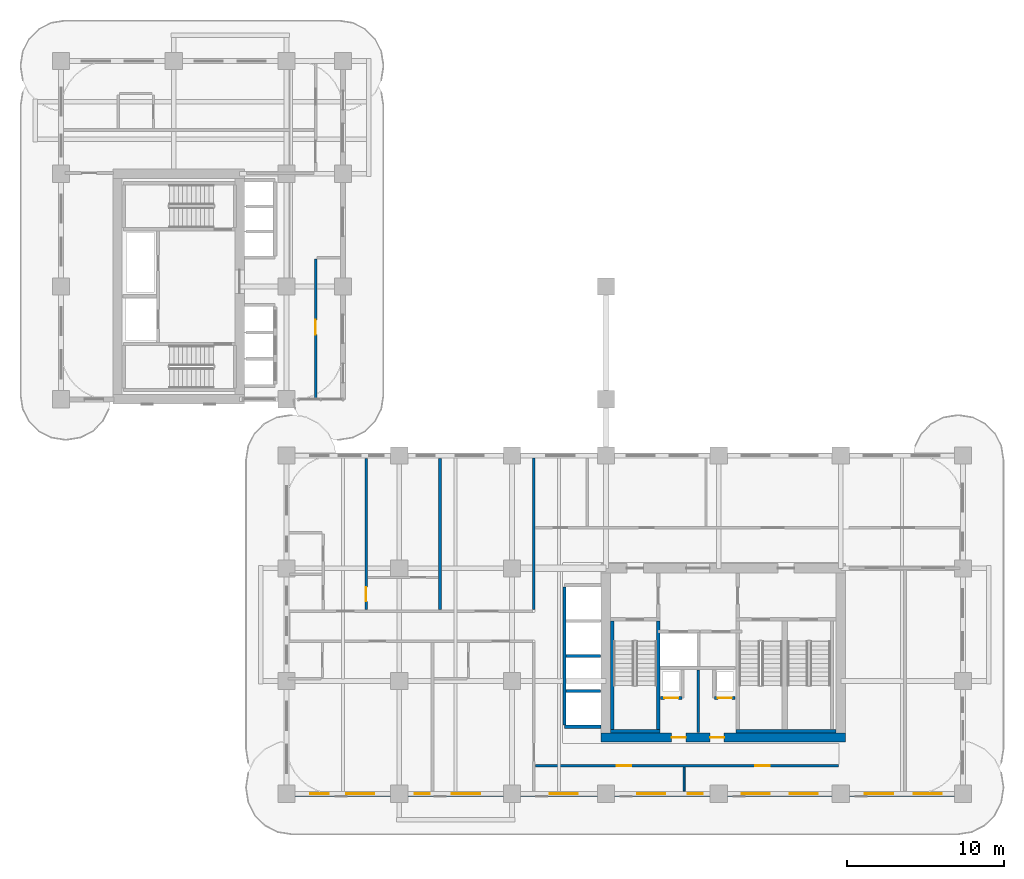
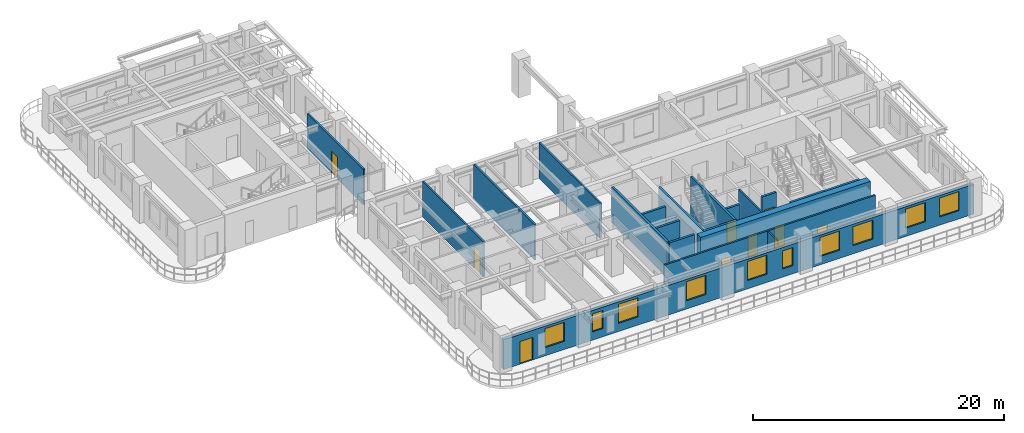
# One storey, part 8 of 19: 19 walls, 10 windows, 9 doors, 19 openings.
"""IFC4 building model written with IfcOpenShell, lengths in metres."""

from ifc_helpers import new_model, si_unit, derived_unit, direction, frame, frame_2d, origin, place, context, subcontext, project, spatial, rectangle, extrude, source, transform, mapped, material, layer, layer_set, type_object, type_shapes, element, fill, save


model = new_model("IFC4")

# Units and contexts
model_context = context("Model", 3, precision=1e-05, world=origin(), true_north=direction((0.0, 1.0)))
body_context = subcontext(model_context, "Body", "Model", "MODEL_VIEW")
ifc_project = project(units=[si_unit("LENGTHUNIT", "METRE"), si_unit("AREAUNIT", "SQUARE_METRE"), si_unit("VOLUMEUNIT", "CUBIC_METRE"), si_unit("PLANEANGLEUNIT", "RADIAN"), si_unit("MASSUNIT", "GRAM", prefix="KILO"), si_unit("THERMODYNAMICTEMPERATUREUNIT", "KELVIN"), si_unit("POWERUNIT", "WATT"), derived_unit("THERMALTRANSMITTANCEUNIT", [(si_unit("POWERUNIT", "WATT"), 1), (si_unit("AREAUNIT", "SQUARE_METRE"), -1), (si_unit("THERMODYNAMICTEMPERATUREUNIT", "KELVIN"), -1)])], contexts=[model_context])

# Site, building, storey
site_placement = place(None, origin())
site = spatial("IfcSite", under=ifc_project, at=site_placement, CompositionType="ELEMENT")
building_placement = place(site_placement, origin())
building = spatial("IfcBuilding", under=site, at=building_placement, Name="Zahravan Archway Hotel and Residences", CompositionType="ELEMENT")
storey_placement = place(building_placement, frame((0.0, 0.0, 47.199951171875)))
storey = spatial("IfcBuildingStorey", under=building, at=storey_placement, Name="L10", CompositionType="ELEMENT", Elevation=47.199951171875)

# Wall, openings, doors
ifc_material_1 = material(Name="Concrete C70/85", Category="concrete")
ifc_layer_1 = layer(ifc_material_1, 0.60009765625, Name="Concrete C70/85", Category="concrete")
ifc_layer_set_1 = layer_set([ifc_layer_1], Name="Concrete C70/85")
wall_type_1 = type_object("IfcWallType", Name="CW-CORE-600", PredefinedType="SHEAR", material=ifc_layer_set_1)
wall_1_placement = place(storey_placement, frame((34.5, 3.60009765625, 0.0), z_axis=(0.0, 0.0, 1.0), x_axis=(1.0, 0.0, 0.0)))
wall_1 = element("IfcWall", 1, at=wall_1_placement, inside=storey, type_object=wall_type_1, Name="L10 Core A Shear S Wall 600 mm", PredefinedType="SHEAR", context=body_context, shape_type="SweptSolid", body=[
    extrude(rectangle(XDim=15.60009765625, YDim=0.60009765625, at=frame_2d((7.800048828125, 0.0))), origin(), (0.0, 0.0, 1.0), 3.699951171875),
])
opening_1_placement = place(wall_1_placement, frame((4.5, 0.0, 0.0)))
opening_1 = element("IfcOpeningElement", 2, at=opening_1_placement, cuts=wall_1, Name="Opening FD-R1", PredefinedType="OPENING", context=body_context, shape_type="SweptSolid", body=[
    extrude(rectangle(XDim=0.89990234375, YDim=2.10009765625, at=frame_2d((0.449951171875, 1.050048828125))), frame((0.0, 0.31005859375, 0.0), z_axis=(0.0, -1.0, 0.0), x_axis=(1.0, 0.0, 0.0)), (0.0, 0.0, 1.0), 0.6201171875),
])
opening_2_placement = place(wall_1_placement, frame((6.949951171875, 0.0, 0.0)))
opening_2 = element("IfcOpeningElement", 3, at=opening_2_placement, cuts=wall_1, Name="Opening FD-R1", PredefinedType="OPENING", context=body_context, shape_type="SweptSolid", body=[
    extrude(rectangle(XDim=0.89990234375, YDim=2.10009765625, at=frame_2d((0.449951171875, 1.050048828125))), frame((0.0, 0.31005859375, 0.0), z_axis=(0.0, -1.0, 0.0), x_axis=(1.0, 0.0, 0.0)), (0.0, 0.0, 1.0), 0.6201171875),
])
ifc_material_2 = material(Name="Fire-Rated Painted Steel", Category="steel")
door_type_1 = type_object("IfcDoorType", Name="FD-RISER-900", OperationType="NOTDEFINED", PredefinedType="DOOR", material=ifc_material_2)
shared_shape_1 = source(origin(), body_context, "Body", "SweptSolid", [
    extrude(rectangle(XDim=0.89990234375, YDim=2.10009765625, at=frame_2d((0.449951171875, 1.050048828125))), frame((0.0, 0.02490234375, 0.0), z_axis=(0.0, -1.0, 0.0), x_axis=(1.0, 0.0, 0.0)), (0.0, 0.0, 1.0), 0.050048828125),
])
type_shapes(door_type_1, [shared_shape_1])
door_1_placement = place(opening_1_placement, origin())
door_1 = element("IfcDoor", 4, at=door_1_placement, inside=storey, type_object=door_type_1, Name="L10 Electrical Switchgear Door", OperationType="SINGLE_SWING_RIGHT", OverallHeight=2.10009765625, OverallWidth=0.89990234375, PredefinedType="DOOR", context=body_context, shape_type="MappedRepresentation", body=[
    mapped(shared_shape_1, transform((0.0, 0.0, 0.0), scale=1.0)),
])
fill(opening_1, door_1)
door_2_placement = place(opening_2_placement, origin())
door_2 = element("IfcDoor", 5, at=door_2_placement, inside=storey, type_object=door_type_1, Name="L10 Telecom BMS Door", OperationType="SINGLE_SWING_LEFT", OverallHeight=2.10009765625, OverallWidth=0.89990234375, PredefinedType="DOOR", context=body_context, shape_type="MappedRepresentation", body=[
    mapped(shared_shape_1, transform((0.0, 0.0, 0.0), scale=1.0)),
])
fill(opening_2, door_2)

# Wall, openings, door, windows
ifc_material_3 = material(Name="Agra Buff Sandstone & Insulated Backup", Category="masonry")
ifc_layer_2 = layer(ifc_material_3, 0.320068359375, Name="Agra Buff Sandstone & Insulated Backup", Category="masonry")
ifc_layer_set_2 = layer_set([ifc_layer_2], Name="Agra Buff Sandstone & Insulated Backup")
wall_type_2 = type_object("IfcWallType", Name="EW-SAND-320", PredefinedType="SOLIDWALL", material=ifc_layer_set_2)
wall_2_placement = place(storey_placement, frame((14.39990234375, 0.0, 0.0), z_axis=(0.0, 0.0, 1.0), x_axis=(1.0, 0.0, 0.0)))
wall_2 = element("IfcWall", 6, at=wall_2_placement, inside=storey, type_object=wall_type_2, Name="L10 Exterior Sandstone Wall WA-S", PredefinedType="SOLIDWALL", context=body_context, shape_type="SweptSolid", body=[
    extrude(rectangle(XDim=43.2001953125, YDim=0.320068359375, at=frame_2d((21.60009765625, 0.0))), origin(), (0.0, 0.0, 1.0), 2.885009765625),
])
opening_3_placement = place(wall_2_placement, frame((1.5, 0.0, 0.0)))
opening_3 = element("IfcOpeningElement", 7, at=opening_3_placement, cuts=wall_2, Name="Opening ED-BL1", PredefinedType="OPENING", context=body_context, shape_type="SweptSolid", body=[
    extrude(rectangle(XDim=1.199951171875, YDim=2.199951171875, at=frame_2d((0.60009765625, 1.10009765625))), frame((0.0, 0.169921875, 0.0), z_axis=(0.0, -1.0, 0.0), x_axis=(1.0, 0.0, 0.0)), (0.0, 0.0, 1.0), 0.340087890625),
])
opening_4_placement = place(wall_2_placement, frame((3.800048828125, 0.0, 0.800048828125)))
opening_4 = element("IfcOpeningElement", 8, at=opening_4_placement, cuts=wall_2, Name="Opening W-02", PredefinedType="OPENING", context=body_context, shape_type="SweptSolid", body=[
    extrude(rectangle(XDim=1.800048828125, YDim=1.85009765625, at=frame_2d((0.89990234375, 0.925048828125))), frame((0.0, 0.169921875, 0.0), z_axis=(0.0, -1.0, 0.0), x_axis=(1.0, 0.0, 0.0)), (0.0, 0.0, 1.0), 0.340087890625),
])
opening_5_placement = place(wall_2_placement, frame((8.180908203125, 0.0, 0.800048828125)))
opening_5 = element("IfcOpeningElement", 9, at=opening_5_placement, cuts=wall_2, Name="Opening W-04", PredefinedType="OPENING", context=body_context, shape_type="SweptSolid", body=[
    extrude(rectangle(XDim=0.949951171875, YDim=1.75, at=frame_2d((0.47509765625, 0.875))), frame((0.0, 0.169921875, 0.0), z_axis=(0.0, -1.0, 0.0), x_axis=(1.0, 0.0, 0.0)), (0.0, 0.0, 1.0), 0.340087890625),
])
opening_6_placement = place(wall_2_placement, frame((10.56396484375, 0.0, 0.800048828125)))
opening_6 = element("IfcOpeningElement", 10, at=opening_6_placement, cuts=wall_2, Name="Opening W-02", PredefinedType="OPENING", context=body_context, shape_type="SweptSolid", body=[
    extrude(rectangle(XDim=1.800048828125, YDim=1.85009765625, at=frame_2d((0.89990234375, 0.925048828125))), frame((0.0, 0.169921875, 0.0), z_axis=(0.0, -1.0, 0.0), x_axis=(1.0, 0.0, 0.0)), (0.0, 0.0, 1.0), 0.340087890625),
])
opening_7_placement = place(wall_2_placement, frame((16.803955078125, 0.0, 0.800048828125)))
opening_7 = element("IfcOpeningElement", 11, at=opening_7_placement, cuts=wall_2, Name="Opening W-02", PredefinedType="OPENING", context=body_context, shape_type="SweptSolid", body=[
    extrude(rectangle(XDim=1.800048828125, YDim=1.85009765625, at=frame_2d((0.89990234375, 0.925048828125))), frame((0.0, 0.169921875, 0.0), z_axis=(0.0, -1.0, 0.0), x_axis=(1.0, 0.0, 0.0)), (0.0, 0.0, 1.0), 0.340087890625),
])
opening_8_placement = place(wall_2_placement, frame((22.39599609375, 0.0, 0.800048828125)))
opening_8 = element("IfcOpeningElement", 12, at=opening_8_placement, cuts=wall_2, Name="Opening W-02", PredefinedType="OPENING", context=body_context, shape_type="SweptSolid", body=[
    extrude(rectangle(XDim=1.800048828125, YDim=1.85009765625, at=frame_2d((0.89990234375, 0.925048828125))), frame((0.0, 0.169921875, 0.0), z_axis=(0.0, -1.0, 0.0), x_axis=(1.0, 0.0, 0.0)), (0.0, 0.0, 1.0), 0.340087890625),
])
opening_9_placement = place(wall_2_placement, frame((25.62890625, 0.0, 0.800048828125)))
opening_9 = element("IfcOpeningElement", 13, at=opening_9_placement, cuts=wall_2, Name="Opening W-04", PredefinedType="OPENING", context=body_context, shape_type="SweptSolid", body=[
    extrude(rectangle(XDim=0.949951171875, YDim=1.75, at=frame_2d((0.47509765625, 0.875))), frame((0.0, 0.169921875, 0.0), z_axis=(0.0, -1.0, 0.0), x_axis=(1.0, 0.0, 0.0)), (0.0, 0.0, 1.0), 0.340087890625),
])
opening_10_placement = place(wall_2_placement, frame((29.074951171875, 0.0, 0.800048828125)))
opening_10 = element("IfcOpeningElement", 14, at=opening_10_placement, cuts=wall_2, Name="Opening W-02", PredefinedType="OPENING", context=body_context, shape_type="SweptSolid", body=[
    extrude(rectangle(XDim=1.800048828125, YDim=1.85009765625, at=frame_2d((0.89990234375, 0.925048828125))), frame((0.0, 0.169921875, 0.0), z_axis=(0.0, -1.0, 0.0), x_axis=(1.0, 0.0, 0.0)), (0.0, 0.0, 1.0), 0.340087890625),
])
opening_11_placement = place(wall_2_placement, frame((32.125, 0.0, 0.800048828125)))
opening_11 = element("IfcOpeningElement", 15, at=opening_11_placement, cuts=wall_2, Name="Opening W-02", PredefinedType="OPENING", context=body_context, shape_type="SweptSolid", body=[
    extrude(rectangle(XDim=1.800048828125, YDim=1.85009765625, at=frame_2d((0.89990234375, 0.925048828125))), frame((0.0, 0.169921875, 0.0), z_axis=(0.0, -1.0, 0.0), x_axis=(1.0, 0.0, 0.0)), (0.0, 0.0, 1.0), 0.340087890625),
])
opening_12_placement = place(wall_2_placement, frame((36.946044921875, 0.0, 0.800048828125)))
opening_12 = element("IfcOpeningElement", 16, at=opening_12_placement, cuts=wall_2, Name="Opening W-02", PredefinedType="OPENING", context=body_context, shape_type="SweptSolid", body=[
    extrude(rectangle(XDim=1.800048828125, YDim=1.85009765625, at=frame_2d((0.89990234375, 0.925048828125))), frame((0.0, 0.169921875, 0.0), z_axis=(0.0, -1.0, 0.0), x_axis=(1.0, 0.0, 0.0)), (0.0, 0.0, 1.0), 0.340087890625),
])
opening_13_placement = place(wall_2_placement, frame((40.053955078125, 0.0, 0.800048828125)))
opening_13 = element("IfcOpeningElement", 17, at=opening_13_placement, cuts=wall_2, Name="Opening W-02", PredefinedType="OPENING", context=body_context, shape_type="SweptSolid", body=[
    extrude(rectangle(XDim=1.800048828125, YDim=1.85009765625, at=frame_2d((0.89990234375, 0.925048828125))), frame((0.0, 0.169921875, 0.0), z_axis=(0.0, -1.0, 0.0), x_axis=(1.0, 0.0, 0.0)), (0.0, 0.0, 1.0), 0.340087890625),
])
ifc_material_4 = material(Name="Bronze-Anodized Glazed Aluminium", Category="aluminium")
door_type_2 = type_object("IfcDoorType", Name="ED-BALC-1200", OperationType="SLIDING_TO_LEFT", PredefinedType="DOOR", material=ifc_material_4)
shared_shape_2 = source(origin(), body_context, "Body", "SweptSolid", [
    extrude(rectangle(XDim=1.199951171875, YDim=2.199951171875, at=frame_2d((0.60009765625, 1.10009765625))), frame((0.0, 0.02490234375, 0.0), z_axis=(0.0, -1.0, 0.0), x_axis=(1.0, 0.0, 0.0)), (0.0, 0.0, 1.0), 0.050048828125),
])
type_shapes(door_type_2, [shared_shape_2])
door_3_placement = place(opening_3_placement, origin())
door_3 = element("IfcDoor", 18, at=door_3_placement, inside=storey, type_object=door_type_2, Name="L10 Outdoor Access Sliding Door (SLB-BAL-L10-SA)", OperationType="SLIDING_TO_LEFT", OverallHeight=2.199951171875, OverallWidth=1.199951171875, PredefinedType="DOOR", context=body_context, shape_type="MappedRepresentation", body=[
    mapped(shared_shape_2, transform((0.0, 0.0, 0.0), scale=1.0)),
])
fill(opening_3, door_3)
ifc_material_5 = material(Name="Bronze-Anodized Thermal-Break Aluminium & Low-E Glass", Category="aluminium")
window_type_1 = type_object("IfcWindowType", Name="WIN-NAR-950", PartitioningType="SINGLE_PANEL", PredefinedType="WINDOW", material=ifc_material_5)
shared_shape_3 = source(origin(), body_context, "Body", "SweptSolid", [
    extrude(rectangle(XDim=0.949951171875, YDim=1.75, at=frame_2d((0.47509765625, 0.875))), frame((0.0, 0.030029296875, 0.0), z_axis=(0.0, -1.0, 0.0), x_axis=(1.0, 0.0, 0.0)), (0.0, 0.0, 1.0), 0.06005859375),
])
type_shapes(window_type_1, [shared_shape_3])
window_1_placement = place(opening_5_placement, origin())
window_1 = element("IfcWindow", 19, at=window_1_placement, inside=storey, type_object=window_type_1, Name="L10 Loggia Window 02", OverallHeight=1.75, OverallWidth=0.949951171875, PartitioningType="SINGLE_PANEL", PredefinedType="WINDOW", context=body_context, shape_type="MappedRepresentation", body=[
    mapped(shared_shape_3, transform((0.0, 0.0, 0.0), scale=1.0)),
])
fill(opening_5, window_1)
window_2_placement = place(opening_9_placement, origin())
window_2 = element("IfcWindow", 20, at=window_2_placement, inside=storey, type_object=window_type_1, Name="L10 Loggia Window 06", OverallHeight=1.75, OverallWidth=0.949951171875, PartitioningType="SINGLE_PANEL", PredefinedType="WINDOW", context=body_context, shape_type="MappedRepresentation", body=[
    mapped(shared_shape_3, transform((0.0, 0.0, 0.0), scale=1.0)),
])
fill(opening_9, window_2)
window_type_2 = type_object("IfcWindowType", Name="WIN-TWR-1800", PartitioningType="DOUBLE_PANEL_VERTICAL", PredefinedType="WINDOW", material=ifc_material_5)
shared_shape_4 = source(origin(), body_context, "Body", "SweptSolid", [
    extrude(rectangle(XDim=1.800048828125, YDim=1.85009765625, at=frame_2d((0.89990234375, 0.925048828125))), frame((0.0, 0.030029296875, 0.0), z_axis=(0.0, -1.0, 0.0), x_axis=(1.0, 0.0, 0.0)), (0.0, 0.0, 1.0), 0.06005859375),
])
type_shapes(window_type_2, [shared_shape_4])
window_3_placement = place(opening_4_placement, origin())
window_3 = element("IfcWindow", 21, at=window_3_placement, inside=storey, type_object=window_type_2, Name="L10 Loggia Window 01", OverallHeight=1.85009765625, OverallWidth=1.800048828125, PartitioningType="DOUBLE_PANEL_VERTICAL", PredefinedType="WINDOW", context=body_context, shape_type="MappedRepresentation", body=[
    mapped(shared_shape_4, transform((0.0, 0.0, 0.0), scale=1.0)),
])
fill(opening_4, window_3)
window_4_placement = place(opening_6_placement, origin())
window_4 = element("IfcWindow", 22, at=window_4_placement, inside=storey, type_object=window_type_2, Name="L10 Loggia Window 03", OverallHeight=1.85009765625, OverallWidth=1.800048828125, PartitioningType="DOUBLE_PANEL_VERTICAL", PredefinedType="WINDOW", context=body_context, shape_type="MappedRepresentation", body=[
    mapped(shared_shape_4, transform((0.0, 0.0, 0.0), scale=1.0)),
])
fill(opening_6, window_4)
window_5_placement = place(opening_7_placement, origin())
window_5 = element("IfcWindow", 23, at=window_5_placement, inside=storey, type_object=window_type_2, Name="L10 Loggia Window 04", OverallHeight=1.85009765625, OverallWidth=1.800048828125, PartitioningType="DOUBLE_PANEL_VERTICAL", PredefinedType="WINDOW", context=body_context, shape_type="MappedRepresentation", body=[
    mapped(shared_shape_4, transform((0.0, 0.0, 0.0), scale=1.0)),
])
fill(opening_7, window_5)
window_6_placement = place(opening_8_placement, origin())
window_6 = element("IfcWindow", 24, at=window_6_placement, inside=storey, type_object=window_type_2, Name="L10 Loggia Window 05", OverallHeight=1.85009765625, OverallWidth=1.800048828125, PartitioningType="DOUBLE_PANEL_VERTICAL", PredefinedType="WINDOW", context=body_context, shape_type="MappedRepresentation", body=[
    mapped(shared_shape_4, transform((0.0, 0.0, 0.0), scale=1.0)),
])
fill(opening_8, window_6)
window_7_placement = place(opening_10_placement, origin())
window_7 = element("IfcWindow", 25, at=window_7_placement, inside=storey, type_object=window_type_2, Name="L10 Loggia Window 07", OverallHeight=1.85009765625, OverallWidth=1.800048828125, PartitioningType="DOUBLE_PANEL_VERTICAL", PredefinedType="WINDOW", context=body_context, shape_type="MappedRepresentation", body=[
    mapped(shared_shape_4, transform((0.0, 0.0, 0.0), scale=1.0)),
])
fill(opening_10, window_7)
window_8_placement = place(opening_11_placement, origin())
window_8 = element("IfcWindow", 26, at=window_8_placement, inside=storey, type_object=window_type_2, Name="L10 Loggia Window 08", OverallHeight=1.85009765625, OverallWidth=1.800048828125, PartitioningType="DOUBLE_PANEL_VERTICAL", PredefinedType="WINDOW", context=body_context, shape_type="MappedRepresentation", body=[
    mapped(shared_shape_4, transform((0.0, 0.0, 0.0), scale=1.0)),
])
fill(opening_11, window_8)
window_9_placement = place(opening_12_placement, origin())
window_9 = element("IfcWindow", 27, at=window_9_placement, inside=storey, type_object=window_type_2, Name="L10 Loggia Window 09", OverallHeight=1.85009765625, OverallWidth=1.800048828125, PartitioningType="DOUBLE_PANEL_VERTICAL", PredefinedType="WINDOW", context=body_context, shape_type="MappedRepresentation", body=[
    mapped(shared_shape_4, transform((0.0, 0.0, 0.0), scale=1.0)),
])
fill(opening_12, window_9)
window_10_placement = place(opening_13_placement, origin())
window_10 = element("IfcWindow", 28, at=window_10_placement, inside=storey, type_object=window_type_2, Name="L10 Loggia Window 10", OverallHeight=1.85009765625, OverallWidth=1.800048828125, PartitioningType="DOUBLE_PANEL_VERTICAL", PredefinedType="WINDOW", context=body_context, shape_type="MappedRepresentation", body=[
    mapped(shared_shape_4, transform((0.0, 0.0, 0.0), scale=1.0)),
])
fill(opening_13, window_10)

# Wall
ifc_material_6 = material(Name="Fire-Rated Gypsum & Concrete Block", Category="concrete")
ifc_layer_3 = layer(ifc_material_6, 0.159912109375, Name="Fire-Rated Gypsum & Concrete Block", Category="concrete")
ifc_layer_set_3 = layer_set([ifc_layer_3], Name="Fire-Rated Gypsum & Concrete Block")
wall_type_3 = type_object("IfcWallType", Name="PW-CORR-160", PredefinedType="PARTITIONING", material=ifc_layer_set_3)
wall_3_placement = place(storey_placement, frame((30.199951171875, 11.760009765625, 0.0), z_axis=(0.0, 0.0, 1.0), x_axis=(0.0, 1.0, 0.0)))
element("IfcWall", 29, at=wall_3_placement, inside=storey, type_object=wall_type_3, Name="L10 Partition WA-FW", PredefinedType="PARTITIONING", context=body_context, shape_type="SweptSolid", body=[
    extrude(rectangle(XDim=9.699951171875, YDim=0.159912109375, at=frame_2d((4.85009765625, 0.0))), origin(), (0.0, 0.0, 1.0), 3.449951171875),
])

# Wall, openings, doors
wall_4_placement = place(storey_placement, frame((30.2900390625, 1.800048828125, 0.0), z_axis=(0.0, 0.0, 1.0), x_axis=(1.0, 0.0, 0.0)))
wall_4 = element("IfcWall", 30, at=wall_4_placement, inside=storey, type_object=wall_type_3, Name="L10 Partition WA-SRS", PredefinedType="PARTITIONING", context=body_context, shape_type="SweptSolid", body=[
    extrude(rectangle(XDim=19.369873046875, YDim=0.159912109375, at=frame_2d((9.68505859375, 0.0))), origin(), (0.0, 0.0, 1.0), 3.449951171875),
])
opening_14_placement = place(wall_4_placement, frame((5.213134765625, 0.0, 0.0)))
opening_14 = element("IfcOpeningElement", 31, at=opening_14_placement, cuts=wall_4, Name="Opening D-I2", PredefinedType="OPENING", context=body_context, shape_type="SweptSolid", body=[
    extrude(rectangle(XDim=0.89990234375, YDim=2.14990234375, at=frame_2d((0.449951171875, 1.074951171875))), frame((0.0, 0.08984375, 0.0), z_axis=(0.0, -1.0, 0.0), x_axis=(1.0, 0.0, 0.0)), (0.0, 0.0, 1.0), 0.179931640625),
])
opening_15_placement = place(wall_4_placement, frame((14.06005859375, 0.0, 0.0)))
opening_15 = element("IfcOpeningElement", 32, at=opening_15_placement, cuts=wall_4, Name="Opening D-I2", PredefinedType="OPENING", context=body_context, shape_type="SweptSolid", body=[
    extrude(rectangle(XDim=0.89990234375, YDim=2.14990234375, at=frame_2d((0.449951171875, 1.074951171875))), frame((0.0, 0.08984375, 0.0), z_axis=(0.0, -1.0, 0.0), x_axis=(1.0, 0.0, 0.0)), (0.0, 0.0, 1.0), 0.179931640625),
])
ifc_material_7 = material(Name="Hardwood Veneer Timber", Category="wood")
door_type_3 = type_object("IfcDoorType", Name="ID-INT-900", OperationType="NOTDEFINED", PredefinedType="DOOR", material=ifc_material_7)
shared_shape_5 = source(origin(), body_context, "Body", "SweptSolid", [
    extrude(rectangle(XDim=0.89990234375, YDim=2.14990234375, at=frame_2d((0.449951171875, 1.074951171875))), frame((0.0, 0.02490234375, 0.0), z_axis=(0.0, -1.0, 0.0), x_axis=(1.0, 0.0, 0.0)), (0.0, 0.0, 1.0), 0.050048828125),
])
type_shapes(door_type_3, [shared_shape_5])
door_4_placement = place(opening_14_placement, origin())
door_4 = element("IfcDoor", 33, at=door_4_placement, inside=storey, type_object=door_type_3, Name="L10 South Study Door", OperationType="SINGLE_SWING_RIGHT", OverallHeight=2.14990234375, OverallWidth=0.89990234375, PredefinedType="DOOR", context=body_context, shape_type="MappedRepresentation", body=[
    mapped(shared_shape_5, transform((0.0, 0.0, 0.0), scale=1.0)),
])
fill(opening_14, door_4)
door_5_placement = place(opening_15_placement, origin())
door_5 = element("IfcDoor", 34, at=door_5_placement, inside=storey, type_object=door_type_3, Name="L10 South Pantry Door", OperationType="SINGLE_SWING_LEFT", OverallHeight=2.14990234375, OverallWidth=0.89990234375, PredefinedType="DOOR", context=body_context, shape_type="MappedRepresentation", body=[
    mapped(shared_shape_5, transform((0.0, 0.0, 0.0), scale=1.0)),
])
fill(opening_15, door_5)

# Wall, opening, door
wall_5_placement = place(storey_placement, frame((16.25, 25.22802734375, 0.0), z_axis=(0.0, 0.0, 1.0), x_axis=(0.0, 1.0, 0.0)))
wall_5 = element("IfcWall", 35, at=wall_5_placement, inside=storey, type_object=wall_type_3, Name="L10 Partition WB-CE", PredefinedType="PARTITIONING", context=body_context, shape_type="SweptSolid", body=[
    extrude(rectangle(XDim=8.931884765625, YDim=0.159912109375, at=frame_2d((4.4658203125, 0.0))), origin(), (0.0, 0.0, 1.0), 3.449951171875),
])
opening_16_placement = place(wall_5_placement, frame((4.096923828125, 0.0, 0.0)))
opening_16 = element("IfcOpeningElement", 36, at=opening_16_placement, cuts=wall_5, Name="Opening D-I1", PredefinedType="OPENING", context=body_context, shape_type="SweptSolid", body=[
    extrude(rectangle(XDim=0.949951171875, YDim=2.14990234375, at=frame_2d((0.47509765625, 1.074951171875))), frame((0.0, 0.08984375, 0.0), z_axis=(0.0, -1.0, 0.0), x_axis=(1.0, 0.0, 0.0)), (0.0, 0.0, 1.0), 0.179931640625),
])
door_type_4 = type_object("IfcDoorType", Name="ID-INT-950", OperationType="NOTDEFINED", PredefinedType="DOOR", material=ifc_material_7)
shared_shape_6 = source(origin(), body_context, "Body", "SweptSolid", [
    extrude(rectangle(XDim=0.949951171875, YDim=2.14990234375, at=frame_2d((0.47509765625, 1.074951171875))), frame((0.0, 0.02490234375, 0.0), z_axis=(0.0, -1.0, 0.0), x_axis=(1.0, 0.0, 0.0)), (0.0, 0.0, 1.0), 0.050048828125),
])
type_shapes(door_type_4, [shared_shape_6])
door_6_placement = place(opening_16_placement, origin())
door_6 = element("IfcDoor", 37, at=door_6_placement, inside=storey, type_object=door_type_4, Name="L10 Wing B Portal Study Door", OperationType="SINGLE_SWING_LEFT", OverallHeight=2.14990234375, OverallWidth=0.949951171875, PredefinedType="DOOR", context=body_context, shape_type="MappedRepresentation", body=[
    mapped(shared_shape_6, transform((0.0, 0.0, 0.0), scale=1.0)),
])
fill(opening_16, door_6)

# Wall
ifc_material_8 = material(Name="Acoustic Stud Partition")
ifc_layer_4 = layer(ifc_material_8, 0.125, Name="Acoustic Stud Partition")
ifc_layer_set_4 = layer_set([ifc_layer_4], Name="Acoustic Stud Partition")
wall_type_4 = type_object("IfcWallType", Name="PW-INT-125", PredefinedType="PARTITIONING", material=ifc_layer_set_4)
wall_6_placement = place(storey_placement, frame((39.800048828125, 0.16796875, 0.0), z_axis=(0.0, 0.0, 1.0), x_axis=(0.0, 1.0, 0.0)))
element("IfcWall", 38, at=wall_6_placement, inside=storey, type_object=wall_type_4, Name="L10 Partition S-DIV1", PredefinedType="PARTITIONING", context=body_context, shape_type="SweptSolid", body=[
    extrude(rectangle(XDim=1.5419921875, YDim=0.125, at=frame_2d((0.77099609375, 0.0))), origin(), (0.0, 0.0, 1.0), 3.449951171875),
])

# Wall, opening, door
ifc_layer_5 = layer(ifc_material_6, 0.199951171875, Name="Fire-Rated Gypsum & Concrete Block", Category="concrete")
ifc_layer_set_5 = layer_set([ifc_layer_5], Name="Fire-Rated Gypsum & Concrete Block")
wall_type_5 = type_object("IfcWallType", Name="PW-SHAFT-200", PredefinedType="PARTITIONING", material=ifc_layer_set_5)
wall_7_placement = place(storey_placement, frame((38.2900390625, 6.1201171875, 0.0), z_axis=(0.0, 0.0, 1.0), x_axis=(1.0, 0.0, 0.0)))
wall_7 = element("IfcWall", 39, at=wall_7_placement, inside=storey, type_object=wall_type_5, Name="L10 Partition CA-SMKS", PredefinedType="PARTITIONING", context=body_context, shape_type="SweptSolid", body=[
    extrude(rectangle(XDim=1.3798828125, YDim=0.199951171875, at=frame_2d((0.68994140625, 0.0))), origin(), (0.0, 0.0, 1.0), 3.449951171875),
])
opening_17_placement = place(wall_7_placement, frame((0.239990234375, 0.0, 0.0)))
opening_17 = element("IfcOpeningElement", 40, at=opening_17_placement, cuts=wall_7, Name="Opening FD-R1", PredefinedType="OPENING", context=body_context, shape_type="SweptSolid", body=[
    extrude(rectangle(XDim=0.89990234375, YDim=2.10009765625, at=frame_2d((0.449951171875, 1.050048828125))), frame((0.0, 0.10986328125, 0.0), z_axis=(0.0, -1.0, 0.0), x_axis=(1.0, 0.0, 0.0)), (0.0, 0.0, 1.0), 0.219970703125),
])
door_7_placement = place(opening_17_placement, origin())
door_7 = element("IfcDoor", 41, at=door_7_placement, inside=storey, type_object=door_type_1, Name="L10 Smoke Riser Access Door", OperationType="SINGLE_SWING_RIGHT", OverallHeight=2.10009765625, OverallWidth=0.89990234375, PredefinedType="DOOR", context=body_context, shape_type="MappedRepresentation", body=[
    mapped(shared_shape_1, transform((0.0, 0.0, 0.0), scale=1.0)),
])
fill(opening_17, door_7)

wall_8_placement = place(storey_placement, frame((41.72998046875, 6.1201171875, 0.0), z_axis=(0.0, 0.0, 1.0), x_axis=(1.0, 0.0, 0.0)))
wall_8 = element("IfcWall", 42, at=wall_8_placement, inside=storey, type_object=wall_type_5, Name="L10 Partition CA-MEPS", PredefinedType="PARTITIONING", context=body_context, shape_type="SweptSolid", body=[
    extrude(rectangle(XDim=1.320068359375, YDim=0.199951171875, at=frame_2d((0.66015625, 0.0))), origin(), (0.0, 0.0, 1.0), 3.449951171875),
])
opening_18_placement = place(wall_8_placement, frame((0.219970703125, 0.0, 0.0)))
opening_18 = element("IfcOpeningElement", 43, at=opening_18_placement, cuts=wall_8, Name="Opening FD-R1", PredefinedType="OPENING", context=body_context, shape_type="SweptSolid", body=[
    extrude(rectangle(XDim=0.89990234375, YDim=2.10009765625, at=frame_2d((0.449951171875, 1.050048828125))), frame((0.0, 0.10986328125, 0.0), z_axis=(0.0, -1.0, 0.0), x_axis=(1.0, 0.0, 0.0)), (0.0, 0.0, 1.0), 0.219970703125),
])
door_8_placement = place(opening_18_placement, origin())
door_8 = element("IfcDoor", 44, at=door_8_placement, inside=storey, type_object=door_type_1, Name="L10 MEP Riser Access Door", OperationType="SINGLE_SWING_LEFT", OverallHeight=2.10009765625, OverallWidth=0.89990234375, PredefinedType="DOOR", context=body_context, shape_type="MappedRepresentation", body=[
    mapped(shared_shape_1, transform((0.0, 0.0, 0.0), scale=1.0)),
])
fill(opening_18, door_8)

# Walls
wall_9_placement = place(storey_placement, frame((32.159912109375, 4.280029296875, 0.0), z_axis=(0.0, 0.0, 1.0), x_axis=(1.0, 0.0, 0.0)))
element("IfcWall", 45, at=wall_9_placement, inside=storey, type_object=wall_type_5, Name="L10 Partition B3-S", PredefinedType="PARTITIONING", context=body_context, shape_type="SweptSolid", body=[
    extrude(rectangle(XDim=2.31005859375, YDim=0.199951171875, at=frame_2d((1.155029296875, 0.0))), origin(), (0.0, 0.0, 1.0), 3.449951171875),
])
wall_10_placement = place(storey_placement, frame((32.14990234375, 4.389892578125, 0.0), z_axis=(0.0, 0.0, 1.0), x_axis=(0.0, 1.0, 0.0)))
element("IfcWall", 46, at=wall_10_placement, inside=storey, type_object=wall_type_5, Name="L10 Partition B3-W", PredefinedType="PARTITIONING", context=body_context, shape_type="SweptSolid", body=[
    extrude(rectangle(XDim=8.820068359375, YDim=0.199951171875, at=frame_2d((4.41015625, 0.0))), origin(), (0.0, 0.0, 1.0), 3.449951171875),
])
for number, where, z_axis, x_axis, name in (
    (47, (32.260009765625, 6.56005859375, 0.0), (0.0, 0.0, 1.0), (1.0, 0.0, 0.0), "L10 Partition B3-D"),
    (48, (32.260009765625, 8.800048828125, 0.0), (0.0, 0.0, 1.0), (1.0, 0.0, 0.0), "L10 Partition B3-D"),
):
    element("IfcWall", number, at=place(storey_placement, frame(where, z_axis=z_axis, x_axis=x_axis)), inside=storey, type_object=wall_type_5, Name=name, PredefinedType="PARTITIONING", context=body_context, shape_type="SweptSolid", body=[
        extrude(rectangle(XDim=2.179931640625, YDim=0.199951171875, at=frame_2d((1.08984375, 0.0))), origin(), (0.0, 0.0, 1.0), 3.449951171875),
    ])

# Wall, opening, door
ifc_layer_6 = layer(ifc_material_8, 0.14990234375, Name="Acoustic Stud Partition")
ifc_layer_set_6 = layer_set([ifc_layer_6], Name="Acoustic Stud Partition")
wall_type_6 = type_object("IfcWallType", Name="PW-UNIT-150", PredefinedType="PARTITIONING", material=ifc_layer_set_6)
wall_11_placement = place(storey_placement, frame((19.47998046875, 11.760009765625, 0.0), z_axis=(0.0, 0.0, 1.0), x_axis=(0.0, 1.0, 0.0)))
wall_11 = element("IfcWall", 49, at=wall_11_placement, inside=storey, type_object=wall_type_6, Name="L10 Partition FL-PN1-SP", PredefinedType="PARTITIONING", context=body_context, shape_type="SweptSolid", body=[
    extrude(rectangle(XDim=9.671875, YDim=0.14990234375, at=frame_2d((4.8359375, 0.0))), origin(), (0.0, 0.0, 1.0), 3.449951171875),
])
opening_19_placement = place(wall_11_placement, frame((0.534912109375, 0.0, 0.0)))
opening_19 = element("IfcOpeningElement", 50, at=opening_19_placement, cuts=wall_11, Name="Opening D-I2", PredefinedType="OPENING", context=body_context, shape_type="SweptSolid", body=[
    extrude(rectangle(XDim=0.89990234375, YDim=2.14990234375, at=frame_2d((0.449951171875, 1.074951171875))), frame((0.0, 0.0849609375, 0.0), z_axis=(0.0, -1.0, 0.0), x_axis=(1.0, 0.0, 0.0)), (0.0, 0.0, 1.0), 0.169921875),
])
door_9_placement = place(opening_19_placement, origin())
door_9 = element("IfcDoor", 51, at=door_9_placement, inside=storey, type_object=door_type_3, Name="L10 Flat PN1 Bedroom Hall Door", OperationType="SINGLE_SWING_LEFT", OverallHeight=2.14990234375, OverallWidth=0.89990234375, PredefinedType="DOOR", context=body_context, shape_type="MappedRepresentation", body=[
    mapped(shared_shape_5, transform((0.0, 0.0, 0.0), scale=1.0)),
])
fill(opening_19, door_9)

# Walls
ifc_layer_7 = layer(ifc_material_8, 0.169921875, Name="Acoustic Stud Partition")
ifc_layer_set_7 = layer_set([ifc_layer_7], Name="Acoustic Stud Partition")
wall_type_7 = type_object("IfcWallType", Name="PW-UNIT-170", PredefinedType="PARTITIONING", material=ifc_layer_set_7)
wall_12_placement = place(storey_placement, frame((24.199951171875, 11.760009765625, 0.0), z_axis=(0.0, 0.0, 1.0), x_axis=(0.0, 1.0, 0.0)))
element("IfcWall", 52, at=wall_12_placement, inside=storey, type_object=wall_type_7, Name="L10 Partition WAN-P1", PredefinedType="PARTITIONING", context=body_context, shape_type="SweptSolid", body=[
    extrude(rectangle(XDim=9.671875, YDim=0.169921875, at=frame_2d((4.8359375, 0.0))), origin(), (0.0, 0.0, 1.0), 3.449951171875),
])
ifc_material_9 = material(Name="Moisture-Resistant Blockwork", Category="masonry")
ifc_layer_8 = layer(ifc_material_9, 0.139892578125, Name="Moisture-Resistant Blockwork", Category="masonry")
ifc_layer_set_8 = layer_set([ifc_layer_8], Name="Moisture-Resistant Blockwork")
wall_type_8 = type_object("IfcWallType", Name="PW-WET-140", PredefinedType="PARTITIONING", material=ifc_layer_set_8)
wall_13_placement = place(storey_placement, frame((40.699951171875, 3.919921875, 0.0), z_axis=(0.0, 0.0, 1.0), x_axis=(0.0, 1.0, 0.0)))
element("IfcWall", 53, at=wall_13_placement, inside=storey, type_object=wall_type_8, Name="L10 Partition CA-CV0", PredefinedType="PARTITIONING", context=body_context, shape_type="SweptSolid", body=[
    extrude(rectangle(XDim=3.989990234375, YDim=0.139892578125, at=frame_2d((1.9951171875, 0.0))), origin(), (0.0, 0.0, 1.0), 3.449951171875),
])
ifc_material_10 = material(Name="Concrete C50/60", Category="concrete")
ifc_layer_9 = layer(ifc_material_10, 0.199951171875, Name="Concrete C50/60", Category="concrete")
ifc_layer_set_9 = layer_set([ifc_layer_9], Name="Concrete C50/60")
wall_type_9 = type_object("IfcWallType", Name="SW-STAIR-200", PredefinedType="SHEAR", material=ifc_layer_set_9)
wall_14_placement = place(storey_placement, frame((35.10009765625, 4.0, 0.0), z_axis=(0.0, 0.0, 1.0), x_axis=(1.0, 0.0, 0.0)))
element("IfcWall", 54, at=wall_14_placement, inside=storey, type_object=wall_type_9, Name="L10 Stairwell RC Wall CA-SA1S", PredefinedType="SHEAR", context=body_context, shape_type="SweptSolid", body=[
    extrude(rectangle(XDim=3.139892578125, YDim=0.199951171875, at=frame_2d((1.56982421875, 0.0))), origin(), (0.0, 0.0, 1.0), 3.699951171875),
])
for number, where, z_axis, x_axis, name in (
    (55, (35.199951171875, 4.10009765625, 0.0), (0.0, 0.0, 1.0), (0.0, 1.0, 0.0), "L10 Stairwell RC Wall CA-SA1W"),
    (56, (38.139892578125, 4.10009765625, 0.0), (0.0, 0.0, 1.0), (0.0, 1.0, 0.0), "L10 Stairwell RC Wall CA-SA1E"),
):
    element("IfcWall", number, at=place(storey_placement, frame(where, z_axis=z_axis, x_axis=x_axis)), inside=storey, type_object=wall_type_9, Name=name, PredefinedType="SHEAR", context=body_context, shape_type="SweptSolid", body=[
        extrude(rectangle(XDim=6.949951171875, YDim=0.199951171875, at=frame_2d((3.47509765625, 0.0))), origin(), (0.0, 0.0, 1.0), 3.699951171875),
    ])
wall_15_placement = place(storey_placement, frame((43.1201171875, 4.0, 0.0), z_axis=(0.0, 0.0, 1.0), x_axis=(1.0, 0.0, 0.0)))
element("IfcWall", 57, at=wall_15_placement, inside=storey, type_object=wall_type_9, Name="L10 Stairwell RC Wall CA-SA23S", PredefinedType="SHEAR", context=body_context, shape_type="SweptSolid", body=[
    extrude(rectangle(XDim=6.3798828125, YDim=0.199951171875, at=frame_2d((3.18994140625, 0.0))), origin(), (0.0, 0.0, 1.0), 3.699951171875),
])

save(model, "model.ifc")
